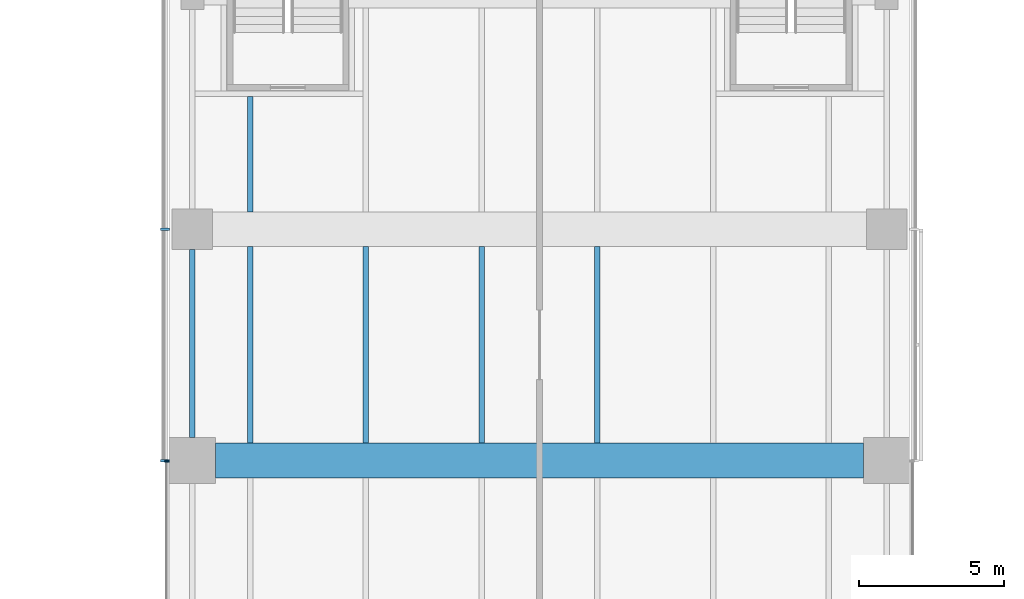
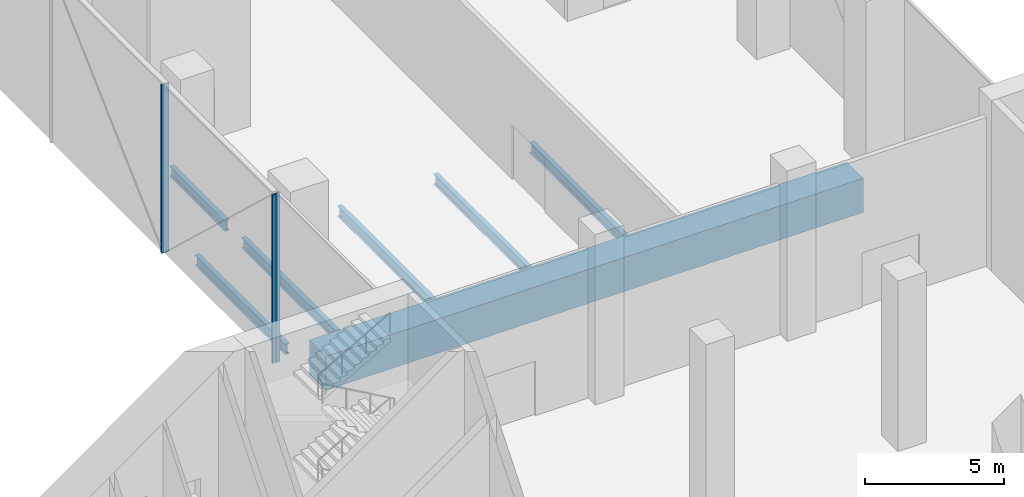
# One storey, part 8 of 25: 7 beams, 3 members, 2 elements without a shape of their own.
"""IFC4 building model written with IfcOpenShell, lengths in metres."""

from ifc_helpers import new_model, si_unit, direction, frame, origin, origin_2d, place, context, subcontext, project, spatial, rectangle, i_section, extrude, material, material_profile, profile_set, type_object, element, aggregate, save


model = new_model("IFC4")

# Units and contexts
model_context = context("Model", 3, precision=1e-05, world=origin(), true_north=direction((0.0, 1.0)))
body_context = subcontext(model_context, "Body", "Model", "MODEL_VIEW")
ifc_project = project(units=[si_unit("LENGTHUNIT", "METRE"), si_unit("AREAUNIT", "SQUARE_METRE"), si_unit("VOLUMEUNIT", "CUBIC_METRE"), si_unit("PLANEANGLEUNIT", "RADIAN"), si_unit("MASSUNIT", "GRAM", prefix="KILO")], contexts=[model_context])

# Site, building, storey
site_placement = place(None, origin())
site = spatial("IfcSite", under=ifc_project, at=site_placement, CompositionType="ELEMENT")
building_placement = place(site_placement, origin())
building = spatial("IfcBuilding", under=site, at=building_placement, Name="Crosswind Convention Tower", CompositionType="ELEMENT")
storey_placement = place(building_placement, frame((0.0, 0.0, 17.5)))
storey = spatial("IfcBuildingStorey", under=building, at=storey_placement, Name="L02", CompositionType="ELEMENT", Elevation=17.5)

# Beam
ifc_material_1 = material(Name="Steel S355", Category="steel")
ifc_material_profile_1 = material_profile(ifc_material_1, i_section(OverallWidth=0.19287109375, OverallDepth=0.467529296875, WebThickness=0.011474609375, FlangeThickness=0.01953125, FilletRadius=0.01025390625, at=origin_2d()), Name="UB 457x191x98")
ifc_profile_set_1 = profile_set([ifc_material_profile_1], Name="Steel S355")
beam_type_1 = type_object("IfcBeamType", Name="Edge beam UB 457x191x98", PredefinedType="SPANDREL", material=ifc_profile_set_1)
beam_1_placement = place(storey_placement, frame((113.0, 120.800048828125, -0.6337890625), z_axis=(0.0, 1.0, 0.0), x_axis=(-1.0, 0.0, 0.0)))
element("IfcBeam", 1, at=beam_1_placement, inside=storey, type_object=beam_type_1, Name="B20 L02 edge beam 10", PredefinedType="SPANDREL", context=body_context, shape_type="SweptSolid", body=[
    extrude(i_section(OverallWidth=0.19287109375, OverallDepth=0.467529296875, WebThickness=0.011474609375, FlangeThickness=0.01953125, FilletRadius=0.01025390625, at=origin_2d()), origin(), (0.0, 0.0, 1.0), 6.5),
])

# Curtain wall, member
ifc_material_2 = material(Name="Aluminium unitised curtain wall", Category="aluminium")
curtain_wall_type_1 = type_object("IfcCurtainWallType", Name="CORE END SLOT WALL 160", PredefinedType="USERDEFINED", material=ifc_material_2)
curtain_wall_1_placement = place(storey_placement, origin())
curtain_wall_1 = element("IfcCurtainWall", 2, at=curtain_wall_1_placement, inside=storey, type_object=curtain_wall_type_1, Name="CW6 L02 N-W.1-4 slot", ObjectType="UNITISED", PredefinedType="USERDEFINED")
ifc_material_3 = material(Name="Aluminium mullion", Category="aluminium")
ifc_material_profile_2 = material_profile(ifc_material_3, rectangle(XDim=0.159912109375, YDim=0.050048828125, at=origin_2d()), Name="AL 160X50")
ifc_profile_set_2 = profile_set([ifc_material_profile_2], Name="Aluminium mullion")
member_type_1 = type_object("IfcMemberType", Name="MULLION 50X160", PredefinedType="MULLION", material=ifc_profile_set_2)
member_1_placement = place(storey_placement, frame((112.1201171875, 119.97509765625, -0.39990234375), z_axis=(0.0, 0.0, 1.0), x_axis=(-1.0, 0.0, 0.0)))
member_1 = element("IfcMember", 3, at=member_1_placement, type_object=member_type_1, Name="CW6 mullion 1", PredefinedType="MULLION", context=body_context, shape_type="SweptSolid", body=[
    extrude(rectangle(XDim=0.159912109375, YDim=0.050048828125, at=origin_2d()), origin(), (0.0, 0.0, 1.0), 7.449951171875),
])
aggregate(curtain_wall_1, [member_1])

# Curtain wall, members
curtain_wall_type_2 = type_object("IfcCurtainWallType", Name="PODIUM UNITISED WALL 300", PredefinedType="USERDEFINED", material=ifc_material_2)
curtain_wall_2_placement = place(storey_placement, origin())
curtain_wall_2 = element("IfcCurtainWall", 4, at=curtain_wall_2_placement, inside=storey, type_object=curtain_wall_type_2, Name="CW1 L02 N-W 1", ObjectType="UNITISED", PredefinedType="USERDEFINED")
ifc_material_profile_3 = material_profile(ifc_material_3, rectangle(XDim=0.300048828125, YDim=0.080078125, at=origin_2d()), Name="AL 300X80")
ifc_profile_set_3 = profile_set([ifc_material_profile_3], Name="Aluminium mullion")
member_type_2 = type_object("IfcMemberType", Name="MULLION 80X300", PredefinedType="MULLION", material=ifc_profile_set_3)
member_2_placement = place(storey_placement, frame((112.050048828125, 128.0, -0.39990234375), z_axis=(0.0, 0.0, 1.0), x_axis=(-1.0, 0.0, 0.0)))
member_2 = element("IfcMember", 5, at=member_2_placement, type_object=member_type_2, Name="CW1 mullion 3", PredefinedType="MULLION", context=body_context, shape_type="SweptSolid", body=[
    extrude(rectangle(XDim=0.300048828125, YDim=0.080078125, at=origin_2d()), origin(), (0.0, 0.0, 1.0), 7.419921875),
])
member_3_placement = place(storey_placement, frame((112.050048828125, 120.0, -0.39990234375), z_axis=(0.0, 0.0, 1.0), x_axis=(-1.0, 0.0, 0.0)))
member_3 = element("IfcMember", 6, at=member_3_placement, type_object=member_type_2, Name="CW1 mullion 4", PredefinedType="MULLION", context=body_context, shape_type="SweptSolid", body=[
    extrude(rectangle(XDim=0.300048828125, YDim=0.080078125, at=origin_2d()), origin(), (0.0, 0.0, 1.0), 7.419921875),
])
aggregate(curtain_wall_2, [member_2, member_3])

# Beams
ifc_material_4 = material(Name="Concrete C70/85", Category="concrete")
ifc_material_profile_4 = material_profile(ifc_material_4, rectangle(XDim=1.199951171875, YDim=1.5, at=origin_2d()), Name="RC 1200X1500")
ifc_profile_set_4 = profile_set([ifc_material_profile_4], Name="Concrete C70/85")
beam_type_2 = type_object("IfcBeamType", Name="Prestressed concrete girder RC 1200X1500", PredefinedType="BEAM", material=ifc_profile_set_4)
beam_2_placement = place(storey_placement, frame((113.800048828125, 120.0, -1.14990234375), z_axis=(1.0, 0.0, 0.0), x_axis=(0.0, 1.0, 0.0)))
element("IfcBeam", 7, at=beam_2_placement, inside=storey, type_object=beam_type_2, Name="B39 L02 prestressed concrete girder 4", PredefinedType="BEAM", context=body_context, shape_type="SweptSolid", body=[
    extrude(rectangle(XDim=1.199951171875, YDim=1.5, at=origin_2d()), origin(), (0.0, 0.0, 1.0), 22.39990234375),
])
ifc_material_profile_5 = material_profile(ifc_material_1, i_section(OverallWidth=0.19140625, OverallDepth=0.460205078125, WebThickness=0.010009765625, FlangeThickness=0.01611328125, FilletRadius=0.01025390625, at=origin_2d()), Name="UB 457x191x82")
ifc_profile_set_5 = profile_set([ifc_material_profile_5], Name="Steel S355")
beam_type_3 = type_object("IfcBeamType", Name="Secondary beam UB 457x191x82", PredefinedType="JOIST", material=ifc_profile_set_5)
beam_3_placement = place(storey_placement, frame((115.0, 120.60009765625, -0.630126953125), z_axis=(0.0, 1.0, 0.0), x_axis=(-1.0, 0.0, 0.0)))
element("IfcBeam", 8, at=beam_3_placement, inside=storey, type_object=beam_type_3, Name="B13 L02 secondary beam 18", PredefinedType="JOIST", context=body_context, shape_type="SweptSolid", body=[
    extrude(i_section(OverallWidth=0.19140625, OverallDepth=0.460205078125, WebThickness=0.010009765625, FlangeThickness=0.01611328125, FilletRadius=0.01025390625, at=origin_2d()), origin(), (0.0, 0.0, 1.0), 6.7998046875),
])
beam_4_placement = place(storey_placement, frame((115.0, 128.60009765625, -0.630126953125), z_axis=(0.0, 1.0, 0.0), x_axis=(-1.0, 0.0, 0.0)))
element("IfcBeam", 9, at=beam_4_placement, inside=storey, type_object=beam_type_3, Name="B13 L02 secondary beam 19", PredefinedType="JOIST", context=body_context, shape_type="SweptSolid", body=[
    extrude(i_section(OverallWidth=0.19140625, OverallDepth=0.460205078125, WebThickness=0.010009765625, FlangeThickness=0.01611328125, FilletRadius=0.01025390625, at=origin_2d()), origin(), (0.0, 0.0, 1.0), 3.993896484375),
])
for number, where, z_axis, x_axis, name in (
    (10, (119.0, 120.60009765625, -0.630126953125), (0.0, 1.0, 0.0), (-1.0, 0.0, 0.0), "B13 L02 secondary beam 25"),
    (11, (123.0, 120.60009765625, -0.630126953125), (0.0, 1.0, 0.0), (-1.0, 0.0, 0.0), "B13 L02 secondary beam 36"),
    (12, (127.0, 120.60009765625, -0.630126953125), (0.0, 1.0, 0.0), (-1.0, 0.0, 0.0), "B13 L02 secondary beam 44"),
):
    element("IfcBeam", number, at=place(storey_placement, frame(where, z_axis=z_axis, x_axis=x_axis)), inside=storey, type_object=beam_type_3, Name=name, PredefinedType="JOIST", context=body_context, shape_type="SweptSolid", body=[
        extrude(i_section(OverallWidth=0.19140625, OverallDepth=0.460205078125, WebThickness=0.010009765625, FlangeThickness=0.01611328125, FilletRadius=0.01025390625, at=origin_2d()), origin(), (0.0, 0.0, 1.0), 6.7998046875),
    ])

save(model, "model.ifc")
